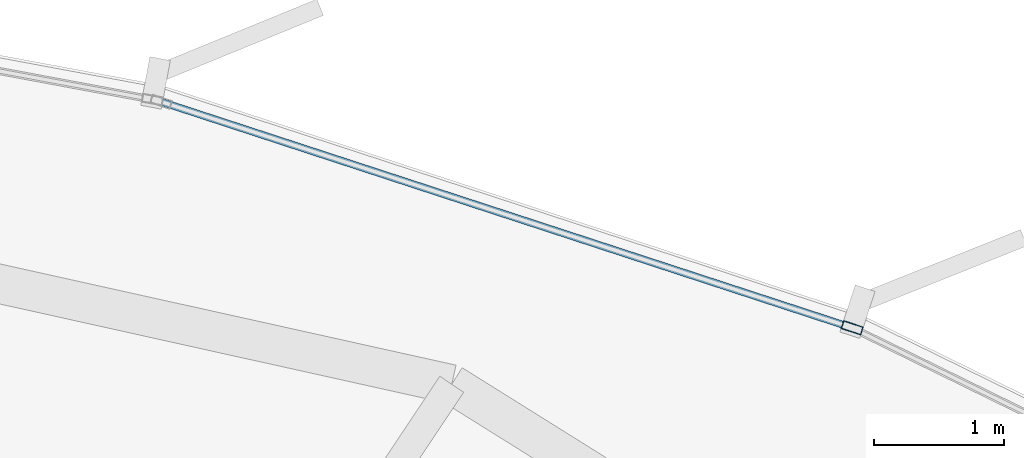
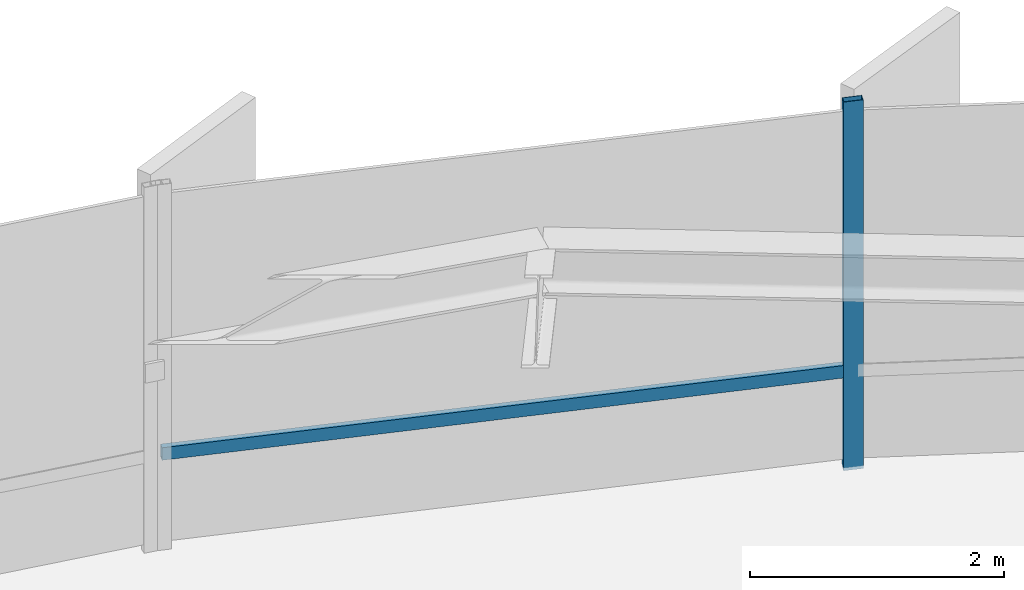
# One storey, part 29 of 38: 2 members, 1 element without a shape of its own.
"""IFC4 building model written with IfcOpenShell, lengths in metres."""

from ifc_helpers import new_model, si_unit, direction, frame, origin, origin_2d, place, context, subcontext, project, spatial, hollow_rectangle, extrude, source, transform, mapped, material, layer, layer_set, material_profile, profile_set, type_object, element, aggregate, save


model = new_model("IFC4")

# Units and contexts
model_context = context("Model", 3, precision=1e-05, world=origin(), true_north=direction((0.0, 1.0)))
body_context = subcontext(model_context, "Body", "Model", "MODEL_VIEW")
ifc_project = project(units=[si_unit("LENGTHUNIT", "METRE"), si_unit("AREAUNIT", "SQUARE_METRE"), si_unit("VOLUMEUNIT", "CUBIC_METRE"), si_unit("PLANEANGLEUNIT", "RADIAN"), si_unit("MASSUNIT", "GRAM", prefix="KILO"), si_unit("THERMODYNAMICTEMPERATUREUNIT", "KELVIN")], contexts=[model_context])

# Site, building, storey
site_placement = place(None, origin())
site = spatial("IfcSite", under=ifc_project, at=site_placement, CompositionType="ELEMENT")
building_placement = place(site_placement, origin())
building = spatial("IfcBuilding", under=site, at=building_placement, Name="Kethvar Cultural Tower", CompositionType="ELEMENT")
storey_placement = place(building_placement, frame((0.0, 0.0, 67.60009765625)))
storey = spatial("IfcBuildingStorey", under=building, at=storey_placement, Name="L16", CompositionType="ELEMENT", Elevation=67.60009765625)

# Curtain wall, members
ifc_material = material(Name="Aluminium 6063-T6", Category="aluminium")
ifc_layer = layer(ifc_material, 0.179931640625, Name="Aluminium 6063-T6", Category="aluminium")
ifc_layer_set = layer_set([ifc_layer], Name="Aluminium 6063-T6 (180 mm)")
curtain_wall_type = type_object("IfcCurtainWallType", Name="CW-SYS-02-Z1", PredefinedType="NOTDEFINED", material=ifc_layer_set)
curtain_wall_placement = place(storey_placement, origin())
curtain_wall = element("IfcCurtainWall", 1, at=curtain_wall_placement, inside=storey, type_object=curtain_wall_type, Name="L16 Curtain Wall Run 01", PredefinedType="NOTDEFINED")
ifc_material_profile_1 = material_profile(ifc_material, hollow_rectangle(XDim=0.06494140625, YDim=0.159912109375, WallThickness=0.0048828125, at=origin_2d()), Name="Aluminium 6063-T6 — RHS160x65x5")
ifc_profile_set_1 = profile_set([ifc_material_profile_1], Name="Aluminium 6063-T6 — RHS160x65x5")
member_type_1 = type_object("IfcMemberType", Name="CW-SYS-02-Z1-MUL", PredefinedType="MULLION", material=ifc_profile_set_1)
shared_shape_1 = source(origin(), body_context, "Body", "SweptSolid", [
    extrude(hollow_rectangle(XDim=0.06494140625, YDim=0.159912109375, WallThickness=0.0048828125, at=origin_2d()), origin(), (0.0, 0.0, 1.0), 3.5498046875),
])
member_1_placement = place(storey_placement, frame((64.674072265625, 50.387451171875, 0.0), z_axis=(0.0, 0.0, 1.0), x_axis=(-0.310842321189, -0.950461493885, 0.0)))
member_1 = element("IfcMember", 2, at=member_1_placement, type_object=member_type_1, Name="CW-L16-R01 Mullion 6", PredefinedType="MULLION", context=body_context, shape_type="MappedRepresentation", body=[
    mapped(shared_shape_1, transform((0.0, 0.0, 0.0), scale=1.0)),
])
ifc_material_profile_2 = material_profile(ifc_material, hollow_rectangle(XDim=0.054931640625, YDim=0.1201171875, WallThickness=0.00390625, at=origin_2d()), Name="Aluminium 6063-T6 — RHS120x55x4")
ifc_profile_set_2 = profile_set([ifc_material_profile_2], Name="Aluminium 6063-T6 — RHS120x55x4")
member_type_2 = type_object("IfcMemberType", Name="CW-SYS-02-Z1-TRN", PredefinedType="USERDEFINED", material=ifc_profile_set_2)
shared_shape_2 = source(origin(), body_context, "Body", "SweptSolid", [
    extrude(hollow_rectangle(XDim=0.054931640625, YDim=0.1201171875, WallThickness=0.00390625, at=origin_2d()), origin(), (0.0, 0.0, 1.0), 5.525390625),
])
member_2_placement = place(storey_placement, frame((64.62939453125, 50.402099609375, 0.949951171875), z_axis=(-0.950461941103, 0.310840953729, 0.0), x_axis=(-0.310840953729, -0.950461941103, 0.0)))
member_2 = element("IfcMember", 3, at=member_2_placement, type_object=member_type_2, Name="CW-L16-R01 Transom 6", ObjectType="TRANSOM", PredefinedType="USERDEFINED", context=body_context, shape_type="MappedRepresentation", body=[
    mapped(shared_shape_2, transform((0.0, 0.0, 0.0), scale=1.0)),
])
aggregate(curtain_wall, [member_1, member_2])

save(model, "model.ifc")
